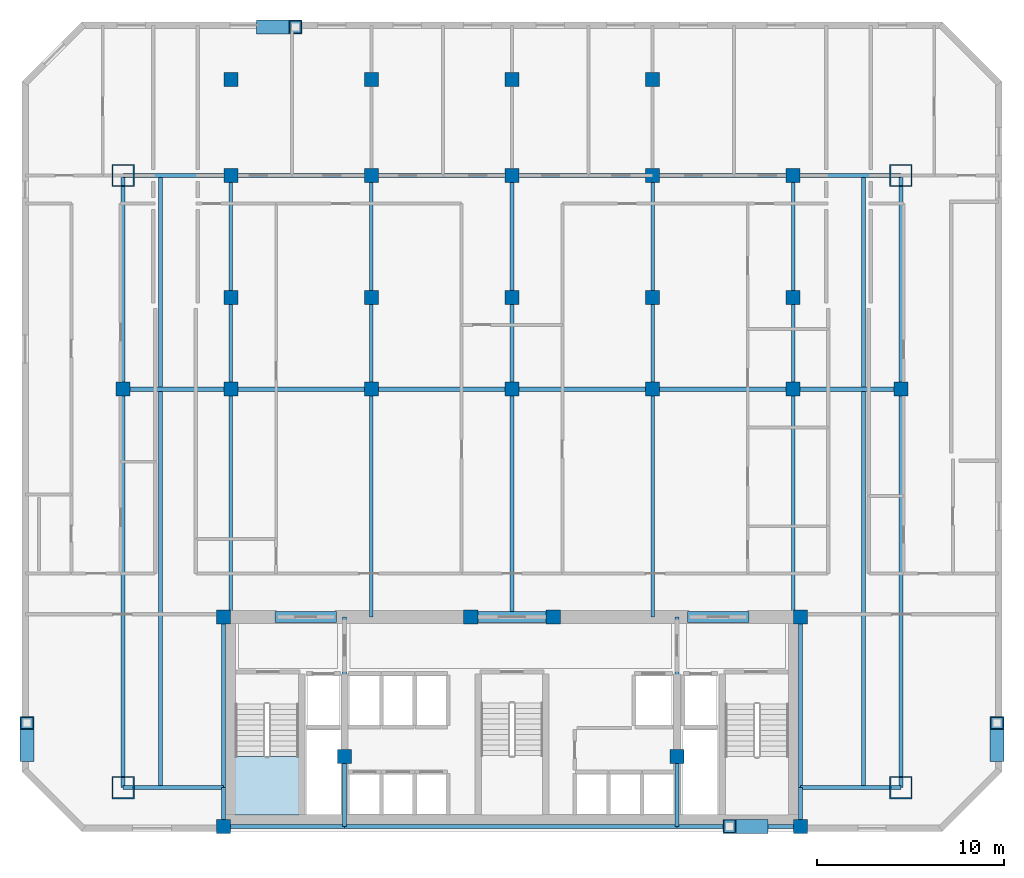
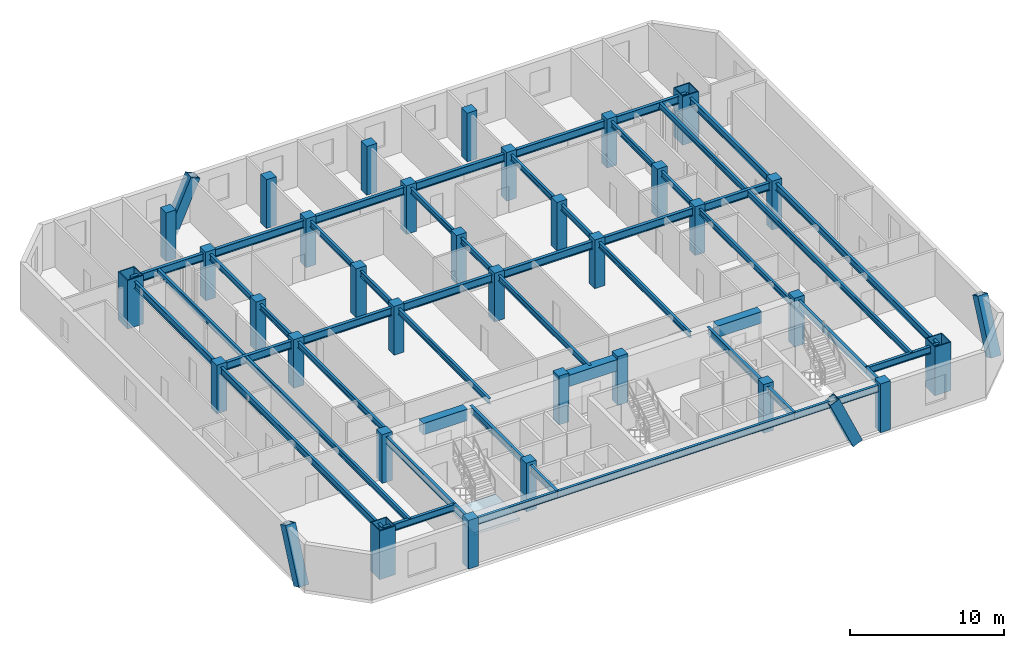
# One storey, part 1 of 8: 46 beams, 33 columns, 4 members, 1 slab, 1 element without a shape of its own.
"""IFC4 building model written with IfcOpenShell, lengths in metres."""

from ifc_helpers import new_model, si_unit, direction, frame, origin, origin_2d, place, context, subcontext, project, spatial, polyline, rectangle, hollow_rectangle, i_section, outline, extrude, material, layer, layer_set, material_profile, profile_set, type_object, element, aggregate, save


model = new_model("IFC4")

# Units and contexts
model_context = context("Model", 3, precision=1e-05, world=origin(), true_north=direction((0.0, 1.0)))
body_context = subcontext(model_context, "Body", "Model", "MODEL_VIEW")
ifc_project = project(units=[si_unit("LENGTHUNIT", "METRE"), si_unit("AREAUNIT", "SQUARE_METRE"), si_unit("VOLUMEUNIT", "CUBIC_METRE"), si_unit("PLANEANGLEUNIT", "RADIAN"), si_unit("MASSUNIT", "GRAM", prefix="KILO")], contexts=[model_context])

# Site, building, storey
site_placement = place(None, origin())
site = spatial("IfcSite", under=ifc_project, at=site_placement, CompositionType="ELEMENT")
building_placement = place(site_placement, origin())
building = spatial("IfcBuilding", under=site, at=building_placement, Name="Ventersveld Concourse Tower", CompositionType="ELEMENT")
storey_placement = place(building_placement, frame((0.0, 0.0, 127.25)))
storey = spatial("IfcBuildingStorey", under=building, at=storey_placement, Name="L31", CompositionType="ELEMENT", Elevation=127.25)

# Columns
ifc_material_1 = material(Name="Concrete C50/60", Category="concrete")
ifc_material_profile_1 = material_profile(ifc_material_1, rectangle(XDim=0.75, YDim=0.75, at=origin_2d()), Name="RC 750x750")
ifc_profile_set_1 = profile_set([ifc_material_profile_1], Name="Concrete C50/60")
column_type_1 = type_object("IfcColumnType", Name="COL-RC750", PredefinedType="COLUMN", material=ifc_profile_set_1)
for number, where, z_axis, x_axis, name in (
    (1, (13.35009765625, 0.280029296875, 0.0), (0.0, 0.0, 1.0), (1.0, 0.0, 0.0), "L31 Core Spine Column CC-SW"),
    (2, (44.14990234375, 0.280029296875, 0.0), (0.0, 0.0, 1.0), (1.0, 0.0, 0.0), "L31 Core Spine Column CC-SE"),
    (3, (13.35009765625, 11.449951171875, 0.0), (0.0, 0.0, 1.0), (1.0, 0.0, 0.0), "L31 Core Spine Column CC-NW"),
    (4, (44.14990234375, 11.449951171875, 0.0), (0.0, 0.0, 1.0), (1.0, 0.0, 0.0), "L31 Core Spine Column CC-NE"),
    (5, (19.820068359375, 4.0, 0.0), (0.0, 0.0, 1.0), (1.0, 0.0, 0.0), "L31 Core Spine Column CM-1"),
    (6, (37.550048828125, 4.0, 0.0), (0.0, 0.0, 1.0), (1.0, 0.0, 0.0), "L31 Core Spine Column CM-2"),
    (7, (26.550048828125, 11.449951171875, 0.0), (0.0, 0.0, 1.0), (1.0, 0.0, 0.0), "L31 Core Spine Column CM-3"),
    (8, (30.949951171875, 11.449951171875, 0.0), (0.0, 0.0, 1.0), (1.0, 0.0, 0.0), "L31 Core Spine Column CM-4"),
    (9, (8.0, 23.60009765625, 0.0), (0.0, 0.0, 1.0), (1.0, 0.0, 0.0), "L31 Interior Gravity Column X=8.00 Y=23.60"),
    (10, (13.75, 23.60009765625, 0.0), (0.0, 0.0, 1.0), (1.0, 0.0, 0.0), "L31 Interior Gravity Column X=13.75 Y=23.60"),
    (11, (21.25, 23.60009765625, 0.0), (0.0, 0.0, 1.0), (1.0, 0.0, 0.0), "L31 Interior Gravity Column X=21.25 Y=23.60"),
    (12, (28.75, 23.60009765625, 0.0), (0.0, 0.0, 1.0), (1.0, 0.0, 0.0), "L31 Interior Gravity Column X=28.75 Y=23.60"),
    (13, (36.25, 23.60009765625, 0.0), (0.0, 0.0, 1.0), (1.0, 0.0, 0.0), "L31 Interior Gravity Column X=36.25 Y=23.60"),
    (14, (43.75, 23.60009765625, 0.0), (0.0, 0.0, 1.0), (1.0, 0.0, 0.0), "L31 Interior Gravity Column X=43.75 Y=23.60"),
    (15, (49.5, 23.60009765625, 0.0), (0.0, 0.0, 1.0), (1.0, 0.0, 0.0), "L31 Interior Gravity Column X=49.50 Y=23.60"),
    (16, (13.75, 28.5, 0.0), (0.0, 0.0, 1.0), (1.0, 0.0, 0.0), "L31 Upper-North Gravity Column X=13.75 Y=28.50"),
    (17, (21.25, 28.5, 0.0), (0.0, 0.0, 1.0), (1.0, 0.0, 0.0), "L31 Upper-North Gravity Column X=21.25 Y=28.50"),
    (18, (28.75, 28.5, 0.0), (0.0, 0.0, 1.0), (1.0, 0.0, 0.0), "L31 Upper-North Gravity Column X=28.75 Y=28.50"),
    (19, (36.25, 28.5, 0.0), (0.0, 0.0, 1.0), (1.0, 0.0, 0.0), "L31 Upper-North Gravity Column X=36.25 Y=28.50"),
    (20, (43.75, 28.5, 0.0), (0.0, 0.0, 1.0), (1.0, 0.0, 0.0), "L31 Upper-North Gravity Column X=43.75 Y=28.50"),
    (21, (13.75, 40.1201171875, 0.0), (0.0, 0.0, 1.0), (1.0, 0.0, 0.0), "L31 North Brace Node Column X=13.75 Y=40.12"),
    (22, (21.25, 40.1201171875, 0.0), (0.0, 0.0, 1.0), (1.0, 0.0, 0.0), "L31 North Brace Node Column X=21.25 Y=40.12"),
    (23, (28.75, 40.1201171875, 0.0), (0.0, 0.0, 1.0), (1.0, 0.0, 0.0), "L31 North Brace Node Column X=28.75 Y=40.12"),
    (24, (36.25, 40.1201171875, 0.0), (0.0, 0.0, 1.0), (1.0, 0.0, 0.0), "L31 North Brace Node Column X=36.25 Y=40.12"),
    (25, (13.75, 35.0, 0.0), (0.0, 0.0, 1.0), (1.0, 0.0, 0.0), "L31 Mid-North Column X=13.75 Y=35.00"),
    (26, (21.25, 35.0, 0.0), (0.0, 0.0, 1.0), (1.0, 0.0, 0.0), "L31 Mid-North Column X=21.25 Y=35.00"),
    (27, (28.75, 35.0, 0.0), (0.0, 0.0, 1.0), (1.0, 0.0, 0.0), "L31 Mid-North Column X=28.75 Y=35.00"),
    (28, (36.25, 35.0, 0.0), (0.0, 0.0, 1.0), (1.0, 0.0, 0.0), "L31 Mid-North Column X=36.25 Y=35.00"),
    (29, (43.75, 35.0, 0.0), (0.0, 0.0, 1.0), (1.0, 0.0, 0.0), "L31 Mid-North Column X=43.75 Y=35.00"),
):
    element("IfcColumn", number, at=place(storey_placement, frame(where, z_axis=z_axis, x_axis=x_axis)), inside=storey, type_object=column_type_1, Name=name, PredefinedType="COLUMN", context=body_context, shape_type="SweptSolid", body=[
        extrude(rectangle(XDim=0.75, YDim=0.75, at=origin_2d()), origin(), (0.0, 0.0, 1.0), 3.85009765625),
    ])
ifc_material_2 = material(Name="Structural steel S460ML", Category="steel")
ifc_material_profile_2 = material_profile(ifc_material_2, hollow_rectangle(XDim=1.199951171875, YDim=1.199951171875, WallThickness=0.070068359375, at=origin_2d()), Name="BOX 1200x1200x70")
ifc_profile_set_2 = profile_set([ifc_material_profile_2], Name="Structural steel S460ML")
column_type_2 = type_object("IfcColumnType", Name="MC-1200", PredefinedType="USERDEFINED", material=ifc_profile_set_2)
for number, where, z_axis, x_axis, name in (
    (30, (8.0, 2.35009765625, 0.0), (0.0, 0.0, 1.0), (1.0, 0.0, 0.0), "L31 Corner Mega-Column MC-SW"),
    (31, (49.5, 2.35009765625, 0.0), (0.0, 0.0, 1.0), (1.0, 0.0, 0.0), "L31 Corner Mega-Column MC-SE"),
    (32, (49.5, 35.0, 0.0), (0.0, 0.0, 1.0), (1.0, 0.0, 0.0), "L31 Corner Mega-Column MC-NE"),
    (33, (8.0, 35.0, 0.0), (0.0, 0.0, 1.0), (1.0, 0.0, 0.0), "L31 Corner Mega-Column MC-NW"),
):
    element("IfcColumn", number, at=place(storey_placement, frame(where, z_axis=z_axis, x_axis=x_axis)), inside=storey, type_object=column_type_2, Name=name, ObjectType="MEGA_COLUMN", PredefinedType="USERDEFINED", context=body_context, shape_type="SweptSolid", body=[
        extrude(hollow_rectangle(XDim=1.199951171875, YDim=1.199951171875, WallThickness=0.070068359375, at=origin_2d()), origin(), (0.0, 0.0, 1.0), 3.85009765625),
    ])

# Beams
ifc_material_3 = material(Name="Structural steel S355J2", Category="steel")
ifc_material_profile_3 = material_profile(ifc_material_3, i_section(OverallWidth=0.18994140625, OverallDepth=0.453369140625, WebThickness=0.008544921875, FlangeThickness=0.0126953125, FilletRadius=0.01025390625, at=origin_2d()), Name="UB 457x191x67")
ifc_profile_set_3 = profile_set([ifc_material_profile_3], Name="Structural steel S355J2")
beam_type_1 = type_object("IfcBeamType", Name="BM-UB457", PredefinedType="BEAM", material=ifc_profile_set_3)
beam_1_placement = place(storey_placement, frame((10.0, 2.35009765625, 3.373291015625), z_axis=(0.0, 1.0, 0.0), x_axis=(-1.0, 0.0, 0.0)))
element("IfcBeam", 34, at=beam_1_placement, inside=storey, type_object=beam_type_1, Name="L31 N-S Composite Floor Beam South X=10.00", PredefinedType="BEAM", context=body_context, shape_type="SweptSolid", body=[
    extrude(i_section(OverallWidth=0.18994140625, OverallDepth=0.453369140625, WebThickness=0.008544921875, FlangeThickness=0.0126953125, FilletRadius=0.01025390625, at=origin_2d()), origin(), (0.0, 0.0, 1.0), 21.15478515625),
])
beam_2_placement = place(storey_placement, frame((10.0, 23.695068359375, 3.373291015625), z_axis=(0.0, 1.0, 0.0), x_axis=(-1.0, 0.0, 0.0)))
element("IfcBeam", 35, at=beam_2_placement, inside=storey, type_object=beam_type_1, Name="L31 N-S Composite Floor Beam Mid X=10.00", PredefinedType="BEAM", context=body_context, shape_type="SweptSolid", body=[
    extrude(i_section(OverallWidth=0.18994140625, OverallDepth=0.453369140625, WebThickness=0.008544921875, FlangeThickness=0.0126953125, FilletRadius=0.01025390625, at=origin_2d()), origin(), (0.0, 0.0, 1.0), 11.304931640625),
])
beam_3_placement = place(storey_placement, frame((13.75, 11.449951171875, 3.373291015625), z_axis=(0.0, 1.0, 0.0), x_axis=(-1.0, 0.0, 0.0)))
element("IfcBeam", 36, at=beam_3_placement, inside=storey, type_object=beam_type_1, Name="L31 N-S Composite Floor Beam South X=13.75", PredefinedType="BEAM", context=body_context, shape_type="SweptSolid", body=[
    extrude(i_section(OverallWidth=0.18994140625, OverallDepth=0.453369140625, WebThickness=0.008544921875, FlangeThickness=0.0126953125, FilletRadius=0.01025390625, at=origin_2d()), origin(), (0.0, 0.0, 1.0), 12.150146484375),
])
beam_4_placement = place(storey_placement, frame((13.75, 23.60009765625, 3.373291015625), z_axis=(0.0, 1.0, 0.0), x_axis=(-1.0, 0.0, 0.0)))
element("IfcBeam", 37, at=beam_4_placement, inside=storey, type_object=beam_type_1, Name="L31 N-S Composite Floor Beam Mid X=13.75", PredefinedType="BEAM", context=body_context, shape_type="SweptSolid", body=[
    extrude(i_section(OverallWidth=0.18994140625, OverallDepth=0.453369140625, WebThickness=0.008544921875, FlangeThickness=0.0126953125, FilletRadius=0.01025390625, at=origin_2d()), origin(), (0.0, 0.0, 1.0), 11.39990234375),
])
beam_5_placement = place(storey_placement, frame((21.25, 11.449951171875, 3.373291015625), z_axis=(0.0, 1.0, 0.0), x_axis=(-1.0, 0.0, 0.0)))
element("IfcBeam", 38, at=beam_5_placement, inside=storey, type_object=beam_type_1, Name="L31 N-S Composite Floor Beam South X=21.25", PredefinedType="BEAM", context=body_context, shape_type="SweptSolid", body=[
    extrude(i_section(OverallWidth=0.18994140625, OverallDepth=0.453369140625, WebThickness=0.008544921875, FlangeThickness=0.0126953125, FilletRadius=0.01025390625, at=origin_2d()), origin(), (0.0, 0.0, 1.0), 12.150146484375),
])
beam_6_placement = place(storey_placement, frame((21.25, 23.60009765625, 3.373291015625), z_axis=(0.0, 1.0, 0.0), x_axis=(-1.0, 0.0, 0.0)))
element("IfcBeam", 39, at=beam_6_placement, inside=storey, type_object=beam_type_1, Name="L31 N-S Composite Floor Beam Mid X=21.25", PredefinedType="BEAM", context=body_context, shape_type="SweptSolid", body=[
    extrude(i_section(OverallWidth=0.18994140625, OverallDepth=0.453369140625, WebThickness=0.008544921875, FlangeThickness=0.0126953125, FilletRadius=0.01025390625, at=origin_2d()), origin(), (0.0, 0.0, 1.0), 11.39990234375),
])
beam_7_placement = place(storey_placement, frame((28.75, 11.449951171875, 3.373291015625), z_axis=(0.0, 1.0, 0.0), x_axis=(-1.0, 0.0, 0.0)))
element("IfcBeam", 40, at=beam_7_placement, inside=storey, type_object=beam_type_1, Name="L31 N-S Composite Floor Beam South X=28.75", PredefinedType="BEAM", context=body_context, shape_type="SweptSolid", body=[
    extrude(i_section(OverallWidth=0.18994140625, OverallDepth=0.453369140625, WebThickness=0.008544921875, FlangeThickness=0.0126953125, FilletRadius=0.01025390625, at=origin_2d()), origin(), (0.0, 0.0, 1.0), 12.150146484375),
])
beam_8_placement = place(storey_placement, frame((28.75, 23.60009765625, 3.373291015625), z_axis=(0.0, 1.0, 0.0), x_axis=(-1.0, 0.0, 0.0)))
element("IfcBeam", 41, at=beam_8_placement, inside=storey, type_object=beam_type_1, Name="L31 N-S Composite Floor Beam Mid X=28.75", PredefinedType="BEAM", context=body_context, shape_type="SweptSolid", body=[
    extrude(i_section(OverallWidth=0.18994140625, OverallDepth=0.453369140625, WebThickness=0.008544921875, FlangeThickness=0.0126953125, FilletRadius=0.01025390625, at=origin_2d()), origin(), (0.0, 0.0, 1.0), 11.39990234375),
])
beam_9_placement = place(storey_placement, frame((36.25, 11.449951171875, 3.373291015625), z_axis=(0.0, 1.0, 0.0), x_axis=(-1.0, 0.0, 0.0)))
element("IfcBeam", 42, at=beam_9_placement, inside=storey, type_object=beam_type_1, Name="L31 N-S Composite Floor Beam South X=36.25", PredefinedType="BEAM", context=body_context, shape_type="SweptSolid", body=[
    extrude(i_section(OverallWidth=0.18994140625, OverallDepth=0.453369140625, WebThickness=0.008544921875, FlangeThickness=0.0126953125, FilletRadius=0.01025390625, at=origin_2d()), origin(), (0.0, 0.0, 1.0), 12.150146484375),
])
beam_10_placement = place(storey_placement, frame((36.25, 23.60009765625, 3.373291015625), z_axis=(0.0, 1.0, 0.0), x_axis=(-1.0, 0.0, 0.0)))
element("IfcBeam", 43, at=beam_10_placement, inside=storey, type_object=beam_type_1, Name="L31 N-S Composite Floor Beam Mid X=36.25", PredefinedType="BEAM", context=body_context, shape_type="SweptSolid", body=[
    extrude(i_section(OverallWidth=0.18994140625, OverallDepth=0.453369140625, WebThickness=0.008544921875, FlangeThickness=0.0126953125, FilletRadius=0.01025390625, at=origin_2d()), origin(), (0.0, 0.0, 1.0), 11.39990234375),
])
beam_11_placement = place(storey_placement, frame((43.75, 11.449951171875, 3.373291015625), z_axis=(0.0, 1.0, 0.0), x_axis=(-1.0, 0.0, 0.0)))
element("IfcBeam", 44, at=beam_11_placement, inside=storey, type_object=beam_type_1, Name="L31 N-S Composite Floor Beam South X=43.75", PredefinedType="BEAM", context=body_context, shape_type="SweptSolid", body=[
    extrude(i_section(OverallWidth=0.18994140625, OverallDepth=0.453369140625, WebThickness=0.008544921875, FlangeThickness=0.0126953125, FilletRadius=0.01025390625, at=origin_2d()), origin(), (0.0, 0.0, 1.0), 12.150146484375),
])
beam_12_placement = place(storey_placement, frame((43.75, 23.60009765625, 3.373291015625), z_axis=(0.0, 1.0, 0.0), x_axis=(-1.0, 0.0, 0.0)))
element("IfcBeam", 45, at=beam_12_placement, inside=storey, type_object=beam_type_1, Name="L31 N-S Composite Floor Beam Mid X=43.75", PredefinedType="BEAM", context=body_context, shape_type="SweptSolid", body=[
    extrude(i_section(OverallWidth=0.18994140625, OverallDepth=0.453369140625, WebThickness=0.008544921875, FlangeThickness=0.0126953125, FilletRadius=0.01025390625, at=origin_2d()), origin(), (0.0, 0.0, 1.0), 11.39990234375),
])
beam_13_placement = place(storey_placement, frame((47.5, 2.35009765625, 3.373291015625), z_axis=(0.0, 1.0, 0.0), x_axis=(-1.0, 0.0, 0.0)))
element("IfcBeam", 46, at=beam_13_placement, inside=storey, type_object=beam_type_1, Name="L31 N-S Composite Floor Beam South X=47.50", PredefinedType="BEAM", context=body_context, shape_type="SweptSolid", body=[
    extrude(i_section(OverallWidth=0.18994140625, OverallDepth=0.453369140625, WebThickness=0.008544921875, FlangeThickness=0.0126953125, FilletRadius=0.01025390625, at=origin_2d()), origin(), (0.0, 0.0, 1.0), 21.15478515625),
])
beam_14_placement = place(storey_placement, frame((47.5, 23.695068359375, 3.373291015625), z_axis=(0.0, 1.0, 0.0), x_axis=(-1.0, 0.0, 0.0)))
element("IfcBeam", 47, at=beam_14_placement, inside=storey, type_object=beam_type_1, Name="L31 N-S Composite Floor Beam Mid X=47.50", PredefinedType="BEAM", context=body_context, shape_type="SweptSolid", body=[
    extrude(i_section(OverallWidth=0.18994140625, OverallDepth=0.453369140625, WebThickness=0.008544921875, FlangeThickness=0.0126953125, FilletRadius=0.01025390625, at=origin_2d()), origin(), (0.0, 0.0, 1.0), 11.304931640625),
])
ifc_material_4 = material(Name="Concrete C60/75", Category="concrete")
ifc_material_profile_4 = material_profile(ifc_material_4, rectangle(XDim=0.60009765625, YDim=0.89990234375, at=origin_2d()), Name="RC 600x900")
ifc_profile_set_4 = profile_set([ifc_material_profile_4], Name="Concrete C60/75")
beam_type_2 = type_object("IfcBeamType", Name="CB-RC600x900L", PredefinedType="LINTEL", material=ifc_profile_set_4)
beam_15_placement = place(storey_placement, frame((16.10009765625, 11.449951171875, 3.14990234375), z_axis=(1.0, 0.0, 0.0), x_axis=(0.0, 1.0, 0.0)))
element("IfcBeam", 48, at=beam_15_placement, inside=storey, type_object=beam_type_2, Name="L31 Core Coupling Lintel Beam 1", PredefinedType="LINTEL", context=body_context, shape_type="SweptSolid", body=[
    extrude(rectangle(XDim=0.60009765625, YDim=0.89990234375, at=origin_2d()), origin(), (0.0, 0.0, 1.0), 3.2998046875),
])
beam_16_placement = place(storey_placement, frame((26.5, 11.449951171875, 3.14990234375), z_axis=(1.0, 0.0, 0.0), x_axis=(0.0, 1.0, 0.0)))
element("IfcBeam", 49, at=beam_16_placement, inside=storey, type_object=beam_type_2, Name="L31 Core Coupling Lintel Beam 2", PredefinedType="LINTEL", context=body_context, shape_type="SweptSolid", body=[
    extrude(rectangle(XDim=0.60009765625, YDim=0.89990234375, at=origin_2d()), origin(), (0.0, 0.0, 1.0), 4.5),
])
beam_17_placement = place(storey_placement, frame((38.10009765625, 11.449951171875, 3.14990234375), z_axis=(1.0, 0.0, 0.0), x_axis=(0.0, 1.0, 0.0)))
element("IfcBeam", 50, at=beam_17_placement, inside=storey, type_object=beam_type_2, Name="L31 Core Coupling Lintel Beam 3", PredefinedType="LINTEL", context=body_context, shape_type="SweptSolid", body=[
    extrude(rectangle(XDim=0.60009765625, YDim=0.89990234375, at=origin_2d()), origin(), (0.0, 0.0, 1.0), 3.2998046875),
])
ifc_material_profile_5 = material_profile(ifc_material_3, i_section(OverallWidth=0.2119140625, OverallDepth=0.54443359375, WebThickness=0.0126953125, FlangeThickness=0.021240234375, FilletRadius=0.0126953125, at=origin_2d()), Name="UB 533x210x122")
ifc_profile_set_5 = profile_set([ifc_material_profile_5], Name="Structural steel S355J2")
beam_type_3 = type_object("IfcBeamType", Name="GRD-UB533H", PredefinedType="T_BEAM", material=ifc_profile_set_5)
beam_18_placement = place(storey_placement, frame((13.35009765625, 0.280029296875, 3.32763671875), z_axis=(0.0, 1.0, 0.0), x_axis=(-1.0, 0.0, 0.0)))
element("IfcBeam", 51, at=beam_18_placement, inside=storey, type_object=beam_type_3, Name="L31 Core West Tie Beam S", PredefinedType="T_BEAM", context=body_context, shape_type="SweptSolid", body=[
    extrude(i_section(OverallWidth=0.2119140625, OverallDepth=0.54443359375, WebThickness=0.0126953125, FlangeThickness=0.021240234375, FilletRadius=0.0126953125, at=origin_2d()), origin(), (0.0, 0.0, 1.0), 2.070068359375),
])
beam_19_placement = place(storey_placement, frame((13.35009765625, 2.35009765625, 3.32763671875), z_axis=(0.0, 1.0, 0.0), x_axis=(-1.0, 0.0, 0.0)))
element("IfcBeam", 52, at=beam_19_placement, inside=storey, type_object=beam_type_3, Name="L31 Core West Tie Beam N", PredefinedType="T_BEAM", context=body_context, shape_type="SweptSolid", body=[
    extrude(i_section(OverallWidth=0.2119140625, OverallDepth=0.54443359375, WebThickness=0.0126953125, FlangeThickness=0.021240234375, FilletRadius=0.0126953125, at=origin_2d()), origin(), (0.0, 0.0, 1.0), 9.099853515625),
])
beam_20_placement = place(storey_placement, frame((44.14990234375, 0.280029296875, 3.32763671875), z_axis=(0.0, 1.0, 0.0), x_axis=(-1.0, 0.0, 0.0)))
element("IfcBeam", 53, at=beam_20_placement, inside=storey, type_object=beam_type_3, Name="L31 Core East Tie Beam S", PredefinedType="T_BEAM", context=body_context, shape_type="SweptSolid", body=[
    extrude(i_section(OverallWidth=0.2119140625, OverallDepth=0.54443359375, WebThickness=0.0126953125, FlangeThickness=0.021240234375, FilletRadius=0.0126953125, at=origin_2d()), origin(), (0.0, 0.0, 1.0), 2.070068359375),
])
beam_21_placement = place(storey_placement, frame((44.14990234375, 2.35009765625, 3.32763671875), z_axis=(0.0, 1.0, 0.0), x_axis=(-1.0, 0.0, 0.0)))
element("IfcBeam", 54, at=beam_21_placement, inside=storey, type_object=beam_type_3, Name="L31 Core East Tie Beam N", PredefinedType="T_BEAM", context=body_context, shape_type="SweptSolid", body=[
    extrude(i_section(OverallWidth=0.2119140625, OverallDepth=0.54443359375, WebThickness=0.0126953125, FlangeThickness=0.021240234375, FilletRadius=0.0126953125, at=origin_2d()), origin(), (0.0, 0.0, 1.0), 9.099853515625),
])
beam_22_placement = place(storey_placement, frame((13.35009765625, 0.280029296875, 3.32763671875), z_axis=(1.0, 0.0, 0.0), x_axis=(0.0, 1.0, 0.0)))
element("IfcBeam", 55, at=beam_22_placement, inside=storey, type_object=beam_type_3, Name="L31 Core South Tie Beam W", PredefinedType="T_BEAM", context=body_context, shape_type="SweptSolid", body=[
    extrude(i_section(OverallWidth=0.2119140625, OverallDepth=0.54443359375, WebThickness=0.0126953125, FlangeThickness=0.021240234375, FilletRadius=0.0126953125, at=origin_2d()), origin(), (0.0, 0.0, 1.0), 6.469970703125),
])
beam_23_placement = place(storey_placement, frame((19.820068359375, 0.280029296875, 3.32763671875), z_axis=(1.0, 0.0, 0.0), x_axis=(0.0, 1.0, 0.0)))
element("IfcBeam", 56, at=beam_23_placement, inside=storey, type_object=beam_type_3, Name="L31 Core South Tie Beam C", PredefinedType="T_BEAM", context=body_context, shape_type="SweptSolid", body=[
    extrude(i_section(OverallWidth=0.2119140625, OverallDepth=0.54443359375, WebThickness=0.0126953125, FlangeThickness=0.021240234375, FilletRadius=0.0126953125, at=origin_2d()), origin(), (0.0, 0.0, 1.0), 17.72998046875),
])
beam_24_placement = place(storey_placement, frame((37.550048828125, 0.280029296875, 3.32763671875), z_axis=(1.0, 0.0, 0.0), x_axis=(0.0, 1.0, 0.0)))
element("IfcBeam", 57, at=beam_24_placement, inside=storey, type_object=beam_type_3, Name="L31 Core South Tie Beam E", PredefinedType="T_BEAM", context=body_context, shape_type="SweptSolid", body=[
    extrude(i_section(OverallWidth=0.2119140625, OverallDepth=0.54443359375, WebThickness=0.0126953125, FlangeThickness=0.021240234375, FilletRadius=0.0126953125, at=origin_2d()), origin(), (0.0, 0.0, 1.0), 6.599853515625),
])
beam_25_placement = place(storey_placement, frame((19.820068359375, 0.280029296875, 3.32763671875), z_axis=(0.0, 1.0, 0.0), x_axis=(-1.0, 0.0, 0.0)))
element("IfcBeam", 58, at=beam_25_placement, inside=storey, type_object=beam_type_3, Name="L31 Core Spine N-S Tie Beam W1", PredefinedType="T_BEAM", context=body_context, shape_type="SweptSolid", body=[
    extrude(i_section(OverallWidth=0.2119140625, OverallDepth=0.54443359375, WebThickness=0.0126953125, FlangeThickness=0.021240234375, FilletRadius=0.0126953125, at=origin_2d()), origin(), (0.0, 0.0, 1.0), 3.719970703125),
])
beam_26_placement = place(storey_placement, frame((19.820068359375, 4.0, 3.32763671875), z_axis=(0.0, 1.0, 0.0), x_axis=(-1.0, 0.0, 0.0)))
element("IfcBeam", 59, at=beam_26_placement, inside=storey, type_object=beam_type_3, Name="L31 Core Spine N-S Tie Beam W2", PredefinedType="T_BEAM", context=body_context, shape_type="SweptSolid", body=[
    extrude(i_section(OverallWidth=0.2119140625, OverallDepth=0.54443359375, WebThickness=0.0126953125, FlangeThickness=0.021240234375, FilletRadius=0.0126953125, at=origin_2d()), origin(), (0.0, 0.0, 1.0), 7.449951171875),
])
beam_27_placement = place(storey_placement, frame((37.550048828125, 0.280029296875, 3.32763671875), z_axis=(0.0, 1.0, 0.0), x_axis=(-1.0, 0.0, 0.0)))
element("IfcBeam", 60, at=beam_27_placement, inside=storey, type_object=beam_type_3, Name="L31 Core Spine N-S Tie Beam E1", PredefinedType="T_BEAM", context=body_context, shape_type="SweptSolid", body=[
    extrude(i_section(OverallWidth=0.2119140625, OverallDepth=0.54443359375, WebThickness=0.0126953125, FlangeThickness=0.021240234375, FilletRadius=0.0126953125, at=origin_2d()), origin(), (0.0, 0.0, 1.0), 3.719970703125),
])
beam_28_placement = place(storey_placement, frame((37.550048828125, 4.0, 3.32763671875), z_axis=(0.0, 1.0, 0.0), x_axis=(-1.0, 0.0, 0.0)))
element("IfcBeam", 61, at=beam_28_placement, inside=storey, type_object=beam_type_3, Name="L31 Core Spine N-S Tie Beam E2", PredefinedType="T_BEAM", context=body_context, shape_type="SweptSolid", body=[
    extrude(i_section(OverallWidth=0.2119140625, OverallDepth=0.54443359375, WebThickness=0.0126953125, FlangeThickness=0.021240234375, FilletRadius=0.0126953125, at=origin_2d()), origin(), (0.0, 0.0, 1.0), 7.449951171875),
])
ifc_material_profile_6 = material_profile(ifc_material_3, i_section(OverallWidth=0.230224609375, OverallDepth=0.6171875, WebThickness=0.01318359375, FlangeThickness=0.022216796875, FilletRadius=0.0126953125, at=origin_2d()), Name="UB 610x229x140")
ifc_profile_set_6 = profile_set([ifc_material_profile_6], Name="Structural steel S355J2")
beam_type_4 = type_object("IfcBeamType", Name="GRD-UB610", PredefinedType="USERDEFINED", material=ifc_profile_set_6)
beam_29_placement = place(storey_placement, frame((8.0, 23.60009765625, 3.29150390625), z_axis=(1.0, 0.0, 0.0), x_axis=(0.0, 1.0, 0.0)))
element("IfcBeam", 62, at=beam_29_placement, inside=storey, type_object=beam_type_4, Name="L31 Primary E-W Grid Girder Y=23.60 #1", ObjectType="GIRDER", PredefinedType="USERDEFINED", context=body_context, shape_type="SweptSolid", body=[
    extrude(i_section(OverallWidth=0.230224609375, OverallDepth=0.6171875, WebThickness=0.01318359375, FlangeThickness=0.022216796875, FilletRadius=0.0126953125, at=origin_2d()), origin(), (0.0, 0.0, 1.0), 5.75),
])
for number, where, z_axis, x_axis, name in (
    (63, (13.75, 23.60009765625, 3.29150390625), (1.0, 0.0, 0.0), (0.0, 1.0, 0.0), "L31 Primary E-W Grid Girder Y=23.60 #2"),
    (64, (21.25, 23.60009765625, 3.29150390625), (1.0, 0.0, 0.0), (0.0, 1.0, 0.0), "L31 Primary E-W Grid Girder Y=23.60 #3"),
    (65, (28.75, 23.60009765625, 3.29150390625), (1.0, 0.0, 0.0), (0.0, 1.0, 0.0), "L31 Primary E-W Grid Girder Y=23.60 #4"),
    (66, (36.25, 23.60009765625, 3.29150390625), (1.0, 0.0, 0.0), (0.0, 1.0, 0.0), "L31 Primary E-W Grid Girder Y=23.60 #5"),
):
    element("IfcBeam", number, at=place(storey_placement, frame(where, z_axis=z_axis, x_axis=x_axis)), inside=storey, type_object=beam_type_4, Name=name, ObjectType="GIRDER", PredefinedType="USERDEFINED", context=body_context, shape_type="SweptSolid", body=[
        extrude(i_section(OverallWidth=0.230224609375, OverallDepth=0.6171875, WebThickness=0.01318359375, FlangeThickness=0.022216796875, FilletRadius=0.0126953125, at=origin_2d()), origin(), (0.0, 0.0, 1.0), 7.5),
    ])
for number, where, z_axis, x_axis, name in (
    (67, (43.75, 23.60009765625, 3.29150390625), (1.0, 0.0, 0.0), (0.0, 1.0, 0.0), "L31 Primary E-W Grid Girder Y=23.60 #6"),
    (68, (8.0, 35.0, 3.29150390625), (1.0, 0.0, 0.0), (0.0, 1.0, 0.0), "L31 E-W Grid Girder Y=35.00 #1"),
):
    element("IfcBeam", number, at=place(storey_placement, frame(where, z_axis=z_axis, x_axis=x_axis)), inside=storey, type_object=beam_type_4, Name=name, ObjectType="GIRDER", PredefinedType="USERDEFINED", context=body_context, shape_type="SweptSolid", body=[
        extrude(i_section(OverallWidth=0.230224609375, OverallDepth=0.6171875, WebThickness=0.01318359375, FlangeThickness=0.022216796875, FilletRadius=0.0126953125, at=origin_2d()), origin(), (0.0, 0.0, 1.0), 5.75),
    ])
for number, where, z_axis, x_axis, name in (
    (69, (13.75, 35.0, 3.29150390625), (1.0, 0.0, 0.0), (0.0, 1.0, 0.0), "L31 E-W Grid Girder Y=35.00 #2"),
    (70, (21.25, 35.0, 3.29150390625), (1.0, 0.0, 0.0), (0.0, 1.0, 0.0), "L31 E-W Grid Girder Y=35.00 #3"),
    (71, (28.75, 35.0, 3.29150390625), (1.0, 0.0, 0.0), (0.0, 1.0, 0.0), "L31 E-W Grid Girder Y=35.00 #4"),
    (72, (36.25, 35.0, 3.29150390625), (1.0, 0.0, 0.0), (0.0, 1.0, 0.0), "L31 E-W Grid Girder Y=35.00 #5"),
):
    element("IfcBeam", number, at=place(storey_placement, frame(where, z_axis=z_axis, x_axis=x_axis)), inside=storey, type_object=beam_type_4, Name=name, ObjectType="GIRDER", PredefinedType="USERDEFINED", context=body_context, shape_type="SweptSolid", body=[
        extrude(i_section(OverallWidth=0.230224609375, OverallDepth=0.6171875, WebThickness=0.01318359375, FlangeThickness=0.022216796875, FilletRadius=0.0126953125, at=origin_2d()), origin(), (0.0, 0.0, 1.0), 7.5),
    ])
beam_30_placement = place(storey_placement, frame((43.75, 35.0, 3.29150390625), z_axis=(1.0, 0.0, 0.0), x_axis=(0.0, 1.0, 0.0)))
element("IfcBeam", 73, at=beam_30_placement, inside=storey, type_object=beam_type_4, Name="L31 E-W Grid Girder Y=35.00 #6", ObjectType="GIRDER", PredefinedType="USERDEFINED", context=body_context, shape_type="SweptSolid", body=[
    extrude(i_section(OverallWidth=0.230224609375, OverallDepth=0.6171875, WebThickness=0.01318359375, FlangeThickness=0.022216796875, FilletRadius=0.0126953125, at=origin_2d()), origin(), (0.0, 0.0, 1.0), 5.75),
])

# Members
ifc_material_5 = material(Name="Structural steel S355ML", Category="steel")
ifc_material_profile_7 = material_profile(ifc_material_5, hollow_rectangle(XDim=0.75, YDim=0.75, WallThickness=0.044921875, at=origin_2d()), Name="BOX 750x750x45")
ifc_profile_set_7 = profile_set([ifc_material_profile_7], Name="Structural steel S355ML")
member_type = type_object("IfcMemberType", Name="MB-750x750", PredefinedType="BRACE", material=ifc_profile_set_7)
for number, where, z_axis, x_axis, name in (
    (74, (15.473876953125, 42.919921875, -0.25), (0.408655381152, 0.0, 0.912688763739), (0.0, 1.0, 0.0), "L31 Exterior Mega-Brace N (Module M07)"),
    (75, (42.076171875, 0.280029296875, -0.25), (-0.408655381152, 0.0, 0.912688763739), (0.0, -1.0, 0.0), "L31 Exterior Mega-Brace S (Module M07)"),
    (76, (2.8798828125, 4.073974609375, -0.25), (0.0, 0.408655381152, 0.912688763739), (-1.0, 0.0, 0.0), "L31 Exterior Mega-Brace W (Module M07)"),
    (77, (54.6201171875, 4.073974609375, -0.25), (0.0, 0.408655381152, 0.912688763739), (-1.0, 0.0, 0.0), "L31 Exterior Mega-Brace E (Module M07)"),
):
    element("IfcMember", number, at=place(storey_placement, frame(where, z_axis=z_axis, x_axis=x_axis)), inside=storey, type_object=member_type, Name=name, PredefinedType="BRACE", context=body_context, shape_type="SweptSolid", body=[
        extrude(hollow_rectangle(XDim=0.75, YDim=0.75, WallThickness=0.044921875, at=origin_2d()), origin(), (0.0, 0.0, 1.0), 4.218505859375),
    ])

# Beams
ifc_material_profile_8 = material_profile(ifc_material_3, i_section(OverallWidth=0.2119140625, OverallDepth=0.54443359375, WebThickness=0.0126953125, FlangeThickness=0.021240234375, FilletRadius=0.0126953125, at=origin_2d()), Name="UB 533x210x122")
ifc_profile_set_8 = profile_set([ifc_material_profile_8], Name="Structural steel S355J2")
beam_type_5 = type_object("IfcBeamType", Name="SPD-UB533", PredefinedType="SPANDREL", material=ifc_profile_set_8)
for number, where, z_axis, x_axis, name in (
    (78, (8.0, 2.35009765625, 3.32763671875), (1.0, 0.0, 0.0), (0.0, 1.0, 0.0), "L31 SW Spandrel Beam"),
    (79, (44.14990234375, 2.35009765625, 3.32763671875), (1.0, 0.0, 0.0), (0.0, 1.0, 0.0), "L31 SE Spandrel Beam"),
):
    element("IfcBeam", number, at=place(storey_placement, frame(where, z_axis=z_axis, x_axis=x_axis)), inside=storey, type_object=beam_type_5, Name=name, PredefinedType="SPANDREL", context=body_context, shape_type="SweptSolid", body=[
        extrude(i_section(OverallWidth=0.2119140625, OverallDepth=0.54443359375, WebThickness=0.0126953125, FlangeThickness=0.021240234375, FilletRadius=0.0126953125, at=origin_2d()), origin(), (0.0, 0.0, 1.0), 5.35009765625),
    ])
beam_31_placement = place(storey_placement, frame((8.0, 2.35009765625, 3.32763671875), z_axis=(0.0, 1.0, 0.0), x_axis=(-1.0, 0.0, 0.0)))
element("IfcBeam", 80, at=beam_31_placement, inside=storey, type_object=beam_type_5, Name="L31 West Spandrel Beam S", PredefinedType="SPANDREL", context=body_context, shape_type="SweptSolid", body=[
    extrude(i_section(OverallWidth=0.2119140625, OverallDepth=0.54443359375, WebThickness=0.0126953125, FlangeThickness=0.021240234375, FilletRadius=0.0126953125, at=origin_2d()), origin(), (0.0, 0.0, 1.0), 21.25),
])
beam_32_placement = place(storey_placement, frame((8.0, 23.60009765625, 3.32763671875), z_axis=(0.0, 1.0, 0.0), x_axis=(-1.0, 0.0, 0.0)))
element("IfcBeam", 81, at=beam_32_placement, inside=storey, type_object=beam_type_5, Name="L31 West Spandrel Beam N", PredefinedType="SPANDREL", context=body_context, shape_type="SweptSolid", body=[
    extrude(i_section(OverallWidth=0.2119140625, OverallDepth=0.54443359375, WebThickness=0.0126953125, FlangeThickness=0.021240234375, FilletRadius=0.0126953125, at=origin_2d()), origin(), (0.0, 0.0, 1.0), 11.39990234375),
])
beam_33_placement = place(storey_placement, frame((49.5, 2.35009765625, 3.32763671875), z_axis=(0.0, 1.0, 0.0), x_axis=(-1.0, 0.0, 0.0)))
element("IfcBeam", 82, at=beam_33_placement, inside=storey, type_object=beam_type_5, Name="L31 East Spandrel Beam S", PredefinedType="SPANDREL", context=body_context, shape_type="SweptSolid", body=[
    extrude(i_section(OverallWidth=0.2119140625, OverallDepth=0.54443359375, WebThickness=0.0126953125, FlangeThickness=0.021240234375, FilletRadius=0.0126953125, at=origin_2d()), origin(), (0.0, 0.0, 1.0), 21.25),
])
beam_34_placement = place(storey_placement, frame((49.5, 23.60009765625, 3.32763671875), z_axis=(0.0, 1.0, 0.0), x_axis=(-1.0, 0.0, 0.0)))
element("IfcBeam", 83, at=beam_34_placement, inside=storey, type_object=beam_type_5, Name="L31 East Spandrel Beam N", PredefinedType="SPANDREL", context=body_context, shape_type="SweptSolid", body=[
    extrude(i_section(OverallWidth=0.2119140625, OverallDepth=0.54443359375, WebThickness=0.0126953125, FlangeThickness=0.021240234375, FilletRadius=0.0126953125, at=origin_2d()), origin(), (0.0, 0.0, 1.0), 11.39990234375),
])

# Stair, slab
stair_type = type_object("IfcStairType", Name="ST-DOG-160", PredefinedType="HALF_TURN_STAIR", material=ifc_material_1)
stair_placement = place(storey_placement, origin())
stair = element("IfcStair", 84, at=stair_placement, inside=storey, type_object=stair_type, Name="L31 Protected Tower Escape Stair ST-01", PredefinedType="HALF_TURN_STAIR")
ifc_layer = layer(ifc_material_1, 0.199951171875)
ifc_layer_set = layer_set([ifc_layer], Name="Concrete C50/60")
slab_type = type_object("IfcSlabType", Name="SL-LND-200", PredefinedType="LANDING", material=ifc_layer_set)
slab_placement = place(storey_placement, frame((0.0, 0.0, 1.72509765625)))
slab = element("IfcSlab", 85, at=slab_placement, type_object=slab_type, Name="ST-01 landing 1", PredefinedType="LANDING", context=body_context, shape_type="SweptSolid", body=[
    extrude(outline(polyline([(13.97998046875, 4.0), (13.97998046875, 0.89990234375), (17.3798828125, 0.89990234375), (17.3798828125, 4.0), (13.97998046875, 4.0)])), origin(), (0.0, 0.0, 1.0), 0.199951171875),
])
aggregate(stair, [slab])

save(model, "model.ifc")
